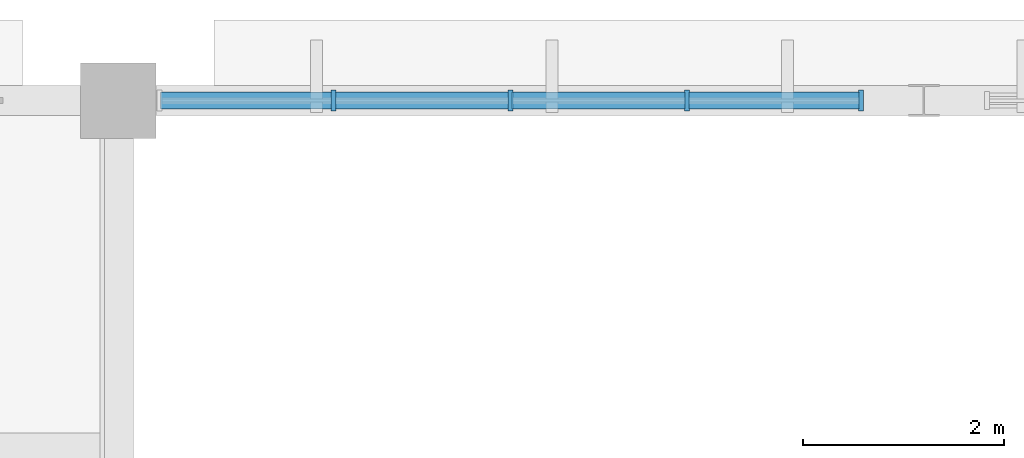
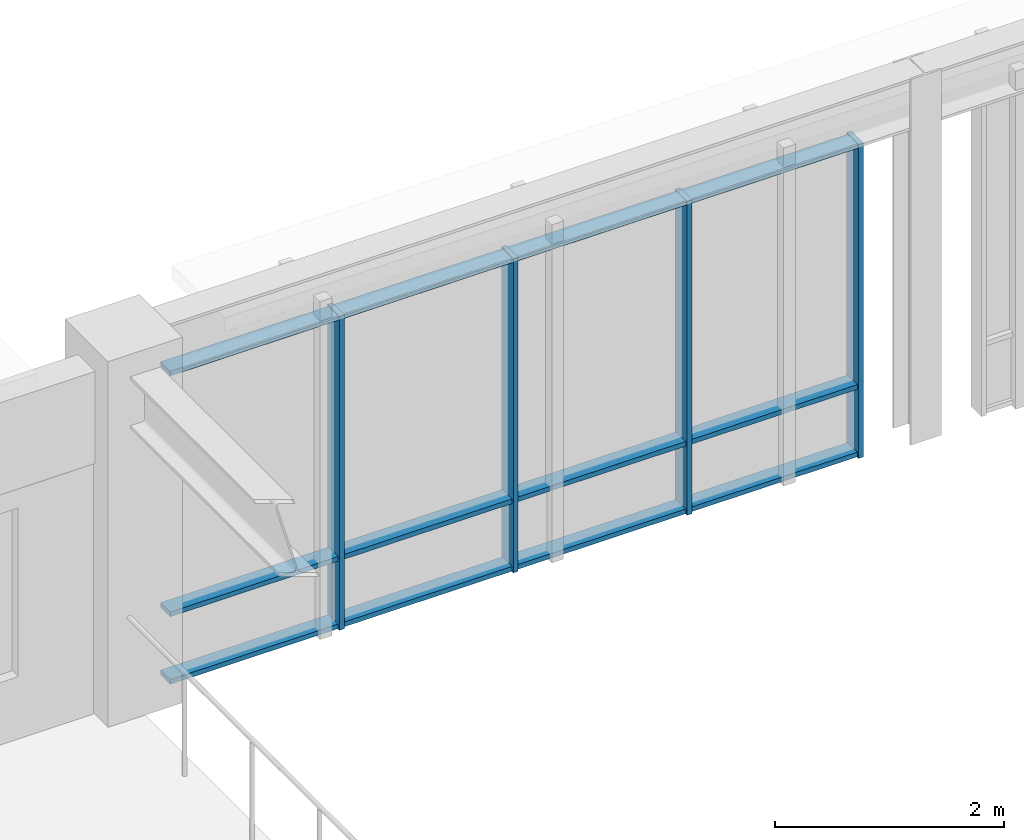
# One storey, part 39 of 98: 16 members, 1 element without a shape of its own.
"""IFC4 building model written with IfcOpenShell, lengths in metres."""

from ifc_helpers import new_model, si_unit, direction, frame, origin, origin_2d, place, context, subcontext, project, spatial, rectangle, extrude, material, material_profile, profile_set, type_object, element, aggregate, save


model = new_model("IFC4")

# Units and contexts
model_context = context("Model", 3, precision=1e-05, world=origin(), true_north=direction((0.0, 1.0)))
body_context = subcontext(model_context, "Body", "Model", "MODEL_VIEW")
ifc_project = project(units=[si_unit("LENGTHUNIT", "METRE"), si_unit("AREAUNIT", "SQUARE_METRE"), si_unit("VOLUMEUNIT", "CUBIC_METRE"), si_unit("PLANEANGLEUNIT", "RADIAN"), si_unit("MASSUNIT", "GRAM", prefix="KILO")], contexts=[model_context])

# Site, building, storey
site_placement = place(None, origin())
site = spatial("IfcSite", under=ifc_project, at=site_placement, CompositionType="ELEMENT")
building_placement = place(site_placement, origin())
building = spatial("IfcBuilding", under=site, at=building_placement, Name="Larkveld Mobility Hub", CompositionType="ELEMENT")
storey_placement = place(building_placement, frame((0.0, 0.0, 4.5)))
storey = spatial("IfcBuildingStorey", under=building, at=storey_placement, Name="L01", CompositionType="ELEMENT", Elevation=4.5)

# Curtain wall, members
ifc_material = material(Name="Anodised aluminium 6063-T6", Category="aluminium")
curtain_wall_type = type_object("IfcCurtainWallType", Name="CW-SYS-07", PredefinedType="NOTDEFINED", material=ifc_material)
curtain_wall_placement = place(storey_placement, origin())
curtain_wall = element("IfcCurtainWall", 1, at=curtain_wall_placement, inside=storey, type_object=curtain_wall_type, Name="North Ridgeway Upper Concourse Curtain Wall CW-067", PredefinedType="NOTDEFINED")
ifc_material_profile_1 = material_profile(ifc_material, rectangle(XDim=0.050048828125, YDim=0.2099609375, at=origin_2d()), Name="ALU MULL 50x210")
ifc_profile_set_1 = profile_set([ifc_material_profile_1], Name="Anodised aluminium 6063-T6")
member_type_1 = type_object("IfcMemberType", Name="CW-MUL-03", PredefinedType="MULLION", material=ifc_profile_set_1)
member_1_placement = place(storey_placement, frame((159.375, 126.0, -0.001953125), z_axis=(0.0, 0.0, 1.0), x_axis=(-1.0, 0.0, 0.0)))
member_1 = element("IfcMember", 2, at=member_1_placement, type_object=member_type_1, Name="CW07 mullion 1", PredefinedType="MULLION", context=body_context, shape_type="SweptSolid", body=[
    extrude(rectangle(XDim=0.050048828125, YDim=0.2099609375, at=origin_2d()), origin(), (0.0, 0.0, 1.0), 3.35205078125),
])
member_2_placement = place(storey_placement, frame((157.64599609375, 126.0, -0.001953125), z_axis=(0.0, 0.0, 1.0), x_axis=(-1.0, 0.0, 0.0)))
member_2 = element("IfcMember", 3, at=member_2_placement, type_object=member_type_1, Name="CW07 mullion 2", PredefinedType="MULLION", context=body_context, shape_type="SweptSolid", body=[
    extrude(rectangle(XDim=0.050048828125, YDim=0.2099609375, at=origin_2d()), origin(), (0.0, 0.0, 1.0), 3.35205078125),
])
member_3_placement = place(storey_placement, frame((155.89306640625, 126.0, -0.001953125), z_axis=(0.0, 0.0, 1.0), x_axis=(-1.0, 0.0, 0.0)))
member_3 = element("IfcMember", 4, at=member_3_placement, type_object=member_type_1, Name="CW07 mullion 3", PredefinedType="MULLION", context=body_context, shape_type="SweptSolid", body=[
    extrude(rectangle(XDim=0.050048828125, YDim=0.2099609375, at=origin_2d()), origin(), (0.0, 0.0, 1.0), 3.35205078125),
])
member_4_placement = place(storey_placement, frame((154.138916015625, 126.0, -0.001953125), z_axis=(0.0, 0.0, 1.0), x_axis=(-1.0, 0.0, 0.0)))
member_4 = element("IfcMember", 5, at=member_4_placement, type_object=member_type_1, Name="CW07 mullion 4", PredefinedType="MULLION", context=body_context, shape_type="SweptSolid", body=[
    extrude(rectangle(XDim=0.050048828125, YDim=0.2099609375, at=origin_2d()), origin(), (0.0, 0.0, 1.0), 3.35205078125),
])
ifc_material_profile_2 = material_profile(ifc_material, rectangle(XDim=0.169921875, YDim=0.050048828125, at=origin_2d()), Name="ALU TRAN 50x170")
ifc_profile_set_2 = profile_set([ifc_material_profile_2], Name="Anodised aluminium 6063-T6")
member_type_2 = type_object("IfcMemberType", Name="CW-TRN-03", PredefinedType="USERDEFINED", material=ifc_profile_set_2)
member_5_placement = place(storey_placement, frame((159.364990234375, 126.0, 0.030029296875), z_axis=(-1.0, 0.0, 0.0), x_axis=(0.0, -1.0, 0.0)))
member_5 = element("IfcMember", 6, at=member_5_placement, type_object=member_type_2, Name="CW07 transom 1.1", ObjectType="TRANSOM", PredefinedType="USERDEFINED", context=body_context, shape_type="SweptSolid", body=[
    extrude(rectangle(XDim=0.169921875, YDim=0.050048828125, at=origin_2d()), origin(), (0.0, 0.0, 1.0), 1.7041015625),
])
member_6_placement = place(storey_placement, frame((159.364990234375, 126.0, 0.75), z_axis=(-1.0, 0.0, 0.0), x_axis=(0.0, -1.0, 0.0)))
member_6 = element("IfcMember", 7, at=member_6_placement, type_object=member_type_2, Name="CW07 transom 1.2", ObjectType="TRANSOM", PredefinedType="USERDEFINED", context=body_context, shape_type="SweptSolid", body=[
    extrude(rectangle(XDim=0.169921875, YDim=0.050048828125, at=origin_2d()), origin(), (0.0, 0.0, 1.0), 1.7041015625),
])
member_7_placement = place(storey_placement, frame((159.364990234375, 126.0, 3.318115234375), z_axis=(-1.0, 0.0, 0.0), x_axis=(0.0, -1.0, 0.0)))
member_7 = element("IfcMember", 8, at=member_7_placement, type_object=member_type_2, Name="CW07 transom 1.3", ObjectType="TRANSOM", PredefinedType="USERDEFINED", context=body_context, shape_type="SweptSolid", body=[
    extrude(rectangle(XDim=0.169921875, YDim=0.050048828125, at=origin_2d()), origin(), (0.0, 0.0, 1.0), 1.7041015625),
])
member_8_placement = place(storey_placement, frame((157.631103515625, 126.0, 0.030029296875), z_axis=(-1.0, 0.0, 0.0), x_axis=(0.0, -1.0, 0.0)))
member_8 = element("IfcMember", 9, at=member_8_placement, type_object=member_type_2, Name="CW07 transom 2.1", ObjectType="TRANSOM", PredefinedType="USERDEFINED", context=body_context, shape_type="SweptSolid", body=[
    extrude(rectangle(XDim=0.169921875, YDim=0.050048828125, at=origin_2d()), origin(), (0.0, 0.0, 1.0), 1.72412109375),
])
member_9_placement = place(storey_placement, frame((157.631103515625, 126.0, 0.75), z_axis=(-1.0, 0.0, 0.0), x_axis=(0.0, -1.0, 0.0)))
member_9 = element("IfcMember", 10, at=member_9_placement, type_object=member_type_2, Name="CW07 transom 2.2", ObjectType="TRANSOM", PredefinedType="USERDEFINED", context=body_context, shape_type="SweptSolid", body=[
    extrude(rectangle(XDim=0.169921875, YDim=0.050048828125, at=origin_2d()), origin(), (0.0, 0.0, 1.0), 1.72412109375),
])
member_10_placement = place(storey_placement, frame((157.631103515625, 126.0, 3.318115234375), z_axis=(-1.0, 0.0, 0.0), x_axis=(0.0, -1.0, 0.0)))
member_10 = element("IfcMember", 11, at=member_10_placement, type_object=member_type_2, Name="CW07 transom 2.3", ObjectType="TRANSOM", PredefinedType="USERDEFINED", context=body_context, shape_type="SweptSolid", body=[
    extrude(rectangle(XDim=0.169921875, YDim=0.050048828125, at=origin_2d()), origin(), (0.0, 0.0, 1.0), 1.72412109375),
])
member_11_placement = place(storey_placement, frame((155.876953125, 126.0, 0.030029296875), z_axis=(-1.0, 0.0, 0.0), x_axis=(0.0, -1.0, 0.0)))
member_11 = element("IfcMember", 12, at=member_11_placement, type_object=member_type_2, Name="CW07 transom 3.1", ObjectType="TRANSOM", PredefinedType="USERDEFINED", context=body_context, shape_type="SweptSolid", body=[
    extrude(rectangle(XDim=0.169921875, YDim=0.050048828125, at=origin_2d()), origin(), (0.0, 0.0, 1.0), 1.722900390625),
])
member_12_placement = place(storey_placement, frame((155.876953125, 126.0, 0.75), z_axis=(-1.0, 0.0, 0.0), x_axis=(0.0, -1.0, 0.0)))
member_12 = element("IfcMember", 13, at=member_12_placement, type_object=member_type_2, Name="CW07 transom 3.2", ObjectType="TRANSOM", PredefinedType="USERDEFINED", context=body_context, shape_type="SweptSolid", body=[
    extrude(rectangle(XDim=0.169921875, YDim=0.050048828125, at=origin_2d()), origin(), (0.0, 0.0, 1.0), 1.722900390625),
])
member_13_placement = place(storey_placement, frame((155.876953125, 126.0, 3.318115234375), z_axis=(-1.0, 0.0, 0.0), x_axis=(0.0, -1.0, 0.0)))
member_13 = element("IfcMember", 14, at=member_13_placement, type_object=member_type_2, Name="CW07 transom 3.3", ObjectType="TRANSOM", PredefinedType="USERDEFINED", context=body_context, shape_type="SweptSolid", body=[
    extrude(rectangle(XDim=0.169921875, YDim=0.050048828125, at=origin_2d()), origin(), (0.0, 0.0, 1.0), 1.722900390625),
])
member_14_placement = place(storey_placement, frame((154.1240234375, 126.0, 0.030029296875), z_axis=(-1.0, 0.0, 0.0), x_axis=(0.0, -1.0, 0.0)))
member_14 = element("IfcMember", 15, at=member_14_placement, type_object=member_type_2, Name="CW07 transom 4.1", ObjectType="TRANSOM", PredefinedType="USERDEFINED", context=body_context, shape_type="SweptSolid", body=[
    extrude(rectangle(XDim=0.169921875, YDim=0.050048828125, at=origin_2d()), origin(), (0.0, 0.0, 1.0), 1.7041015625),
])
member_15_placement = place(storey_placement, frame((154.1240234375, 126.0, 0.75), z_axis=(-1.0, 0.0, 0.0), x_axis=(0.0, -1.0, 0.0)))
member_15 = element("IfcMember", 16, at=member_15_placement, type_object=member_type_2, Name="CW07 transom 4.2", ObjectType="TRANSOM", PredefinedType="USERDEFINED", context=body_context, shape_type="SweptSolid", body=[
    extrude(rectangle(XDim=0.169921875, YDim=0.050048828125, at=origin_2d()), origin(), (0.0, 0.0, 1.0), 1.7041015625),
])
member_16_placement = place(storey_placement, frame((154.1240234375, 126.0, 3.318115234375), z_axis=(-1.0, 0.0, 0.0), x_axis=(0.0, -1.0, 0.0)))
member_16 = element("IfcMember", 17, at=member_16_placement, type_object=member_type_2, Name="CW07 transom 4.3", ObjectType="TRANSOM", PredefinedType="USERDEFINED", context=body_context, shape_type="SweptSolid", body=[
    extrude(rectangle(XDim=0.169921875, YDim=0.050048828125, at=origin_2d()), origin(), (0.0, 0.0, 1.0), 1.7041015625),
])
aggregate(curtain_wall, [member_1, member_2, member_3, member_4, member_5, member_6, member_7, member_8, member_9, member_10, member_11, member_12, member_13, member_14, member_15, member_16])

save(model, "model.ifc")
